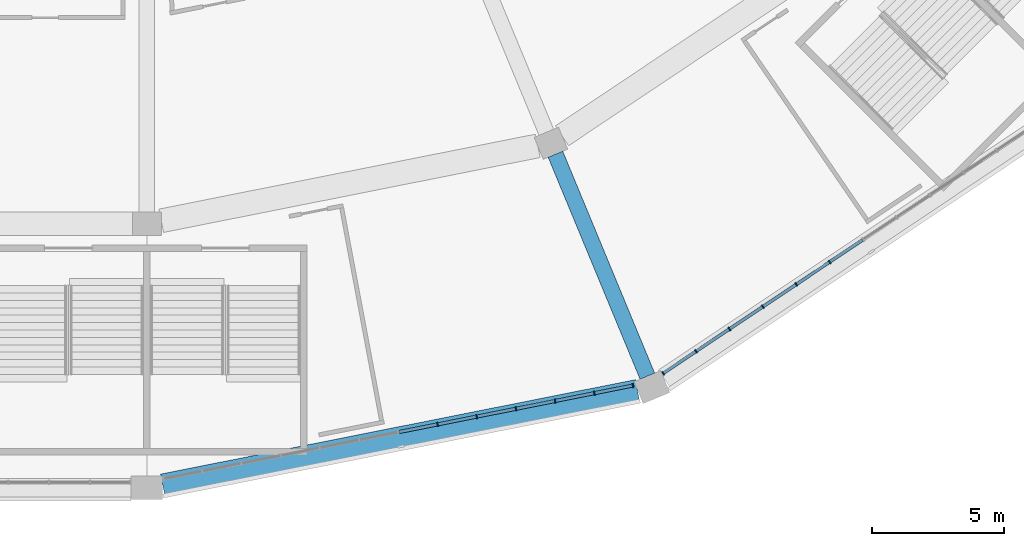
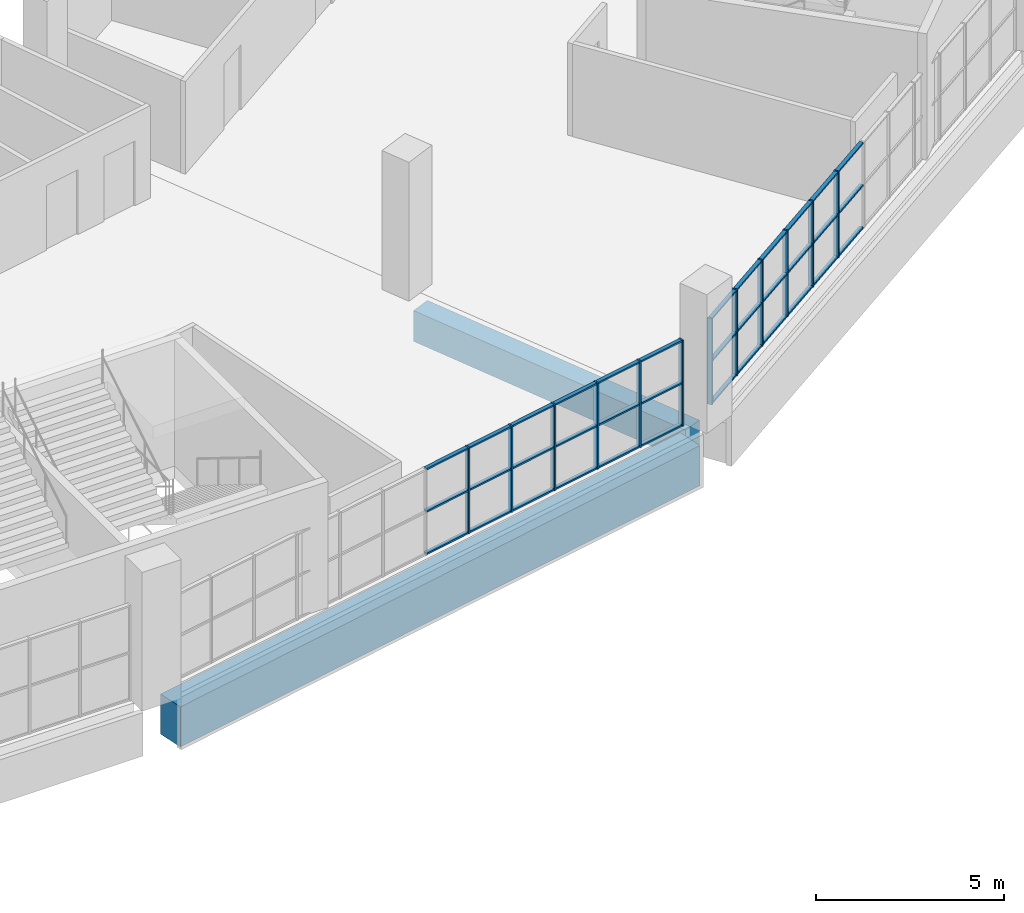
# One storey, part 21 of 199: 48 members, 2 beams, 2 elements without a shape of their own.
"""IFC4 building model written with IfcOpenShell, lengths in metres."""

from ifc_helpers import new_model, si_unit, direction, frame, origin, origin_2d, place, context, subcontext, project, spatial, rectangle, extrude, material, material_profile, profile_set, type_object, element, aggregate, save


model = new_model("IFC4")

# Units and contexts
model_context = context("Model", 3, precision=1e-05, world=origin(), true_north=direction((0.0, 1.0)))
body_context = subcontext(model_context, "Body", "Model", "MODEL_VIEW")
ifc_project = project(units=[si_unit("LENGTHUNIT", "METRE"), si_unit("AREAUNIT", "SQUARE_METRE"), si_unit("VOLUMEUNIT", "CUBIC_METRE"), si_unit("PLANEANGLEUNIT", "RADIAN"), si_unit("MASSUNIT", "GRAM", prefix="KILO")], contexts=[model_context])

# Site, building, storey
site_placement = place(None, origin())
site = spatial("IfcSite", under=ifc_project, at=site_placement, CompositionType="ELEMENT")
building_placement = place(site_placement, origin())
building = spatial("IfcBuilding", under=site, at=building_placement, Name="Ogive Plaza Stadium", CompositionType="ELEMENT")
storey_placement = place(building_placement, frame((0.0, 0.0, 4.5)))
storey = spatial("IfcBuildingStorey", under=building, at=storey_placement, Name="L01", CompositionType="ELEMENT", Elevation=4.5)

# Curtain wall, members
ifc_material_1 = material(Name="Bronze-anodised aluminium with laminated glass", Category="aluminium")
curtain_wall_type = type_object("IfcCurtainWallType", Name="Lancet curtain wall", PredefinedType="NOTDEFINED", material=ifc_material_1)
curtain_wall_1_placement = place(storey_placement, origin())
curtain_wall_1 = element("IfcCurtainWall", 1, at=curtain_wall_1_placement, inside=storey, type_object=curtain_wall_type, Name="CURTAIN WALL B10 L01", PredefinedType="NOTDEFINED")
ifc_material_2 = material(Name="Bronze-anodised aluminium", Category="aluminium")
ifc_material_profile_1 = material_profile(ifc_material_2, rectangle(XDim=0.14990234375, YDim=0.050048828125, at=origin_2d()), Name="AL 150x50")
ifc_profile_set_1 = profile_set([ifc_material_profile_1], Name="Bronze-anodised aluminium")
member_type_1 = type_object("IfcMemberType", Name="Curtain wall mullion 50x150", PredefinedType="MULLION", material=ifc_profile_set_1)
member_1_placement = place(storey_placement, frame((59.867919921875, -93.9541015625, 0.0), z_axis=(0.0, 0.0, 1.0), x_axis=(0.55557023302, -0.831469612303, 0.0)))
member_1 = element("IfcMember", 2, at=member_1_placement, type_object=member_type_1, Name="CW-B10-L01 mullion 8", PredefinedType="MULLION", context=body_context, shape_type="SweptSolid", body=[
    extrude(rectangle(XDim=0.14990234375, YDim=0.050048828125, at=origin_2d()), origin(), (0.0, 0.0, 1.0), 2.7900390625),
])
member_2_placement = place(storey_placement, frame((58.60205078125, -94.7998046875, 0.0), z_axis=(0.0, 0.0, 1.0), x_axis=(0.55557023302, -0.831469612303, 0.0)))
member_2 = element("IfcMember", 3, at=member_2_placement, type_object=member_type_1, Name="CW-B10-L01 mullion 9", PredefinedType="MULLION", context=body_context, shape_type="SweptSolid", body=[
    extrude(rectangle(XDim=0.14990234375, YDim=0.050048828125, at=origin_2d()), origin(), (0.0, 0.0, 1.0), 2.7900390625),
])
member_3_placement = place(storey_placement, frame((57.336181640625, -95.645751953125, 0.0), z_axis=(0.0, 0.0, 1.0), x_axis=(0.55557023302, -0.831469612303, 0.0)))
member_3 = element("IfcMember", 4, at=member_3_placement, type_object=member_type_1, Name="CW-B10-L01 mullion 10", PredefinedType="MULLION", context=body_context, shape_type="SweptSolid", body=[
    extrude(rectangle(XDim=0.14990234375, YDim=0.050048828125, at=origin_2d()), origin(), (0.0, 0.0, 1.0), 2.7900390625),
])
member_4_placement = place(storey_placement, frame((56.070556640625, -96.491455078125, 0.0), z_axis=(0.0, 0.0, 1.0), x_axis=(0.55557023302, -0.831469612303, 0.0)))
member_4 = element("IfcMember", 5, at=member_4_placement, type_object=member_type_1, Name="CW-B10-L01 mullion 11", PredefinedType="MULLION", context=body_context, shape_type="SweptSolid", body=[
    extrude(rectangle(XDim=0.14990234375, YDim=0.050048828125, at=origin_2d()), origin(), (0.0, 0.0, 1.0), 2.7900390625),
])
member_5_placement = place(storey_placement, frame((54.8046875, -97.337158203125, 0.0), z_axis=(0.0, 0.0, 1.0), x_axis=(0.55557023302, -0.831469612303, 0.0)))
member_5 = element("IfcMember", 6, at=member_5_placement, type_object=member_type_1, Name="CW-B10-L01 mullion 12", PredefinedType="MULLION", context=body_context, shape_type="SweptSolid", body=[
    extrude(rectangle(XDim=0.14990234375, YDim=0.050048828125, at=origin_2d()), origin(), (0.0, 0.0, 1.0), 2.7900390625),
])
member_6_placement = place(storey_placement, frame((53.559814453125, -98.169189453125, 0.0), z_axis=(0.0, 0.0, 1.0), x_axis=(0.55557023302, -0.831469612303, 0.0)))
member_6 = element("IfcMember", 7, at=member_6_placement, type_object=member_type_1, Name="CW-B10-L01 mullion 13", PredefinedType="MULLION", context=body_context, shape_type="SweptSolid", body=[
    extrude(rectangle(XDim=0.14990234375, YDim=0.050048828125, at=origin_2d()), origin(), (0.0, 0.0, 1.0), 2.7900390625),
])

curtain_wall_2_placement = place(storey_placement, origin())
curtain_wall_2 = element("IfcCurtainWall", 8, at=curtain_wall_2_placement, inside=storey, type_object=curtain_wall_type, Name="CURTAIN WALL B11 L01", PredefinedType="NOTDEFINED")
member_7_placement = place(storey_placement, frame((52.412109375, -98.6337890625, 0.0), z_axis=(0.0, 0.0, 1.0), x_axis=(0.195090322016, -0.980785280403, 0.0)))
member_7 = element("IfcMember", 9, at=member_7_placement, type_object=member_type_1, Name="CW-B11-L01 mullion 1", PredefinedType="MULLION", context=body_context, shape_type="SweptSolid", body=[
    extrude(rectangle(XDim=0.14990234375, YDim=0.050048828125, at=origin_2d()), origin(), (0.0, 0.0, 1.0), 2.7900390625),
])
member_8_placement = place(storey_placement, frame((50.951904296875, -98.924072265625, 0.0), z_axis=(0.0, 0.0, 1.0), x_axis=(0.195090322016, -0.980785280403, 0.0)))
member_8 = element("IfcMember", 10, at=member_8_placement, type_object=member_type_1, Name="CW-B11-L01 mullion 2", PredefinedType="MULLION", context=body_context, shape_type="SweptSolid", body=[
    extrude(rectangle(XDim=0.14990234375, YDim=0.050048828125, at=origin_2d()), origin(), (0.0, 0.0, 1.0), 2.7900390625),
])
member_9_placement = place(storey_placement, frame((49.467041015625, -99.219482421875, 0.0), z_axis=(0.0, 0.0, 1.0), x_axis=(0.195090322016, -0.980785280403, 0.0)))
member_9 = element("IfcMember", 11, at=member_9_placement, type_object=member_type_1, Name="CW-B11-L01 mullion 3", PredefinedType="MULLION", context=body_context, shape_type="SweptSolid", body=[
    extrude(rectangle(XDim=0.14990234375, YDim=0.050048828125, at=origin_2d()), origin(), (0.0, 0.0, 1.0), 2.7900390625),
])
member_10_placement = place(storey_placement, frame((47.982421875, -99.514892578125, 0.0), z_axis=(0.0, 0.0, 1.0), x_axis=(0.195090322016, -0.980785280403, 0.0)))
member_10 = element("IfcMember", 12, at=member_10_placement, type_object=member_type_1, Name="CW-B11-L01 mullion 4", PredefinedType="MULLION", context=body_context, shape_type="SweptSolid", body=[
    extrude(rectangle(XDim=0.14990234375, YDim=0.050048828125, at=origin_2d()), origin(), (0.0, 0.0, 1.0), 2.7900390625),
])
member_11_placement = place(storey_placement, frame((46.49755859375, -99.81005859375, 0.0), z_axis=(0.0, 0.0, 1.0), x_axis=(0.195090322016, -0.980785280403, 0.0)))
member_11 = element("IfcMember", 13, at=member_11_placement, type_object=member_type_1, Name="CW-B11-L01 mullion 5", PredefinedType="MULLION", context=body_context, shape_type="SweptSolid", body=[
    extrude(rectangle(XDim=0.14990234375, YDim=0.050048828125, at=origin_2d()), origin(), (0.0, 0.0, 1.0), 2.7900390625),
])
member_12_placement = place(storey_placement, frame((45.012939453125, -100.10546875, 0.0), z_axis=(0.0, 0.0, 1.0), x_axis=(0.195090322016, -0.980785280403, 0.0)))
member_12 = element("IfcMember", 14, at=member_12_placement, type_object=member_type_1, Name="CW-B11-L01 mullion 6", PredefinedType="MULLION", context=body_context, shape_type="SweptSolid", body=[
    extrude(rectangle(XDim=0.14990234375, YDim=0.050048828125, at=origin_2d()), origin(), (0.0, 0.0, 1.0), 2.7900390625),
])

# Member
ifc_material_3 = material(Name="Bronze-anodised aluminium", Category="aluminium")
ifc_material_profile_2 = material_profile(ifc_material_3, rectangle(XDim=0.1201171875, YDim=0.050048828125, at=origin_2d()), Name="AL 120x50")
ifc_profile_set_2 = profile_set([ifc_material_profile_2], Name="Bronze-anodised aluminium")
member_type_2 = type_object("IfcMemberType", Name="Curtain wall transom 50x120", PredefinedType="USERDEFINED", material=ifc_profile_set_2)
member_13_placement = place(storey_placement, frame((61.11279296875, -93.122314453125, 0.02490234375), z_axis=(-0.831488586159, -0.555541835587, 0.0), x_axis=(0.555541835587, -0.831488586159, 0.0)))
member_13 = element("IfcMember", 15, at=member_13_placement, type_object=member_type_2, Name="CW-B10-L01 transom 7.1", ObjectType="TRANSOM", PredefinedType="USERDEFINED", context=body_context, shape_type="SweptSolid", body=[
    extrude(rectangle(XDim=0.1201171875, YDim=0.050048828125, at=origin_2d()), origin(), (0.0, 0.0, 1.0), 1.47216796875),
])

member_14_placement = place(storey_placement, frame((61.11279296875, -93.122314453125, 1.39501953125), z_axis=(-0.831488586159, -0.555541835587, 0.0), x_axis=(0.555541835587, -0.831488586159, 0.0)))
member_14 = element("IfcMember", 16, at=member_14_placement, type_object=member_type_2, Name="CW-B10-L01 transom 7.2", ObjectType="TRANSOM", PredefinedType="USERDEFINED", context=body_context, shape_type="SweptSolid", body=[
    extrude(rectangle(XDim=0.1201171875, YDim=0.050048828125, at=origin_2d()), origin(), (0.0, 0.0, 1.0), 1.47216796875),
])

member_15_placement = place(storey_placement, frame((61.11279296875, -93.122314453125, 2.764892578125), z_axis=(-0.831488586159, -0.555541835587, 0.0), x_axis=(0.555541835587, -0.831488586159, 0.0)))
member_15 = element("IfcMember", 17, at=member_15_placement, type_object=member_type_2, Name="CW-B10-L01 transom 7.3", ObjectType="TRANSOM", PredefinedType="USERDEFINED", context=body_context, shape_type="SweptSolid", body=[
    extrude(rectangle(XDim=0.1201171875, YDim=0.050048828125, at=origin_2d()), origin(), (0.0, 0.0, 1.0), 1.47216796875),
])

member_16_placement = place(storey_placement, frame((59.84716796875, -93.968017578125, 0.02490234375), z_axis=(-0.831463168883, -0.555579876157, 0.0), x_axis=(0.555579876157, -0.831463168883, 0.0)))
member_16 = element("IfcMember", 18, at=member_16_placement, type_object=member_type_2, Name="CW-B10-L01 transom 8.1", ObjectType="TRANSOM", PredefinedType="USERDEFINED", context=body_context, shape_type="SweptSolid", body=[
    extrude(rectangle(XDim=0.1201171875, YDim=0.050048828125, at=origin_2d()), origin(), (0.0, 0.0, 1.0), 1.47265625),
])

member_17_placement = place(storey_placement, frame((59.84716796875, -93.968017578125, 1.39501953125), z_axis=(-0.831463168883, -0.555579876157, 0.0), x_axis=(0.555579876157, -0.831463168883, 0.0)))
member_17 = element("IfcMember", 19, at=member_17_placement, type_object=member_type_2, Name="CW-B10-L01 transom 8.2", ObjectType="TRANSOM", PredefinedType="USERDEFINED", context=body_context, shape_type="SweptSolid", body=[
    extrude(rectangle(XDim=0.1201171875, YDim=0.050048828125, at=origin_2d()), origin(), (0.0, 0.0, 1.0), 1.47265625),
])

member_18_placement = place(storey_placement, frame((59.84716796875, -93.968017578125, 2.764892578125), z_axis=(-0.831463168883, -0.555579876157, 0.0), x_axis=(0.555579876157, -0.831463168883, 0.0)))
member_18 = element("IfcMember", 20, at=member_18_placement, type_object=member_type_2, Name="CW-B10-L01 transom 8.3", ObjectType="TRANSOM", PredefinedType="USERDEFINED", context=body_context, shape_type="SweptSolid", body=[
    extrude(rectangle(XDim=0.1201171875, YDim=0.050048828125, at=origin_2d()), origin(), (0.0, 0.0, 1.0), 1.47265625),
])

member_19_placement = place(storey_placement, frame((58.581298828125, -94.813720703125, 0.02490234375), z_axis=(-0.831411982446, -0.555656472512, 0.0), x_axis=(0.555656472512, -0.831411982446, 0.0)))
member_19 = element("IfcMember", 21, at=member_19_placement, type_object=member_type_2, Name="CW-B10-L01 transom 9.1", ObjectType="TRANSOM", PredefinedType="USERDEFINED", context=body_context, shape_type="SweptSolid", body=[
    extrude(rectangle(XDim=0.1201171875, YDim=0.050048828125, at=origin_2d()), origin(), (0.0, 0.0, 1.0), 1.472412109375),
])

member_20_placement = place(storey_placement, frame((58.581298828125, -94.813720703125, 1.39501953125), z_axis=(-0.831411982446, -0.555656472512, 0.0), x_axis=(0.555656472512, -0.831411982446, 0.0)))
member_20 = element("IfcMember", 22, at=member_20_placement, type_object=member_type_2, Name="CW-B10-L01 transom 9.2", ObjectType="TRANSOM", PredefinedType="USERDEFINED", context=body_context, shape_type="SweptSolid", body=[
    extrude(rectangle(XDim=0.1201171875, YDim=0.050048828125, at=origin_2d()), origin(), (0.0, 0.0, 1.0), 1.472412109375),
])

member_21_placement = place(storey_placement, frame((58.581298828125, -94.813720703125, 2.764892578125), z_axis=(-0.831411982446, -0.555656472512, 0.0), x_axis=(0.555656472512, -0.831411982446, 0.0)))
member_21 = element("IfcMember", 23, at=member_21_placement, type_object=member_type_2, Name="CW-B10-L01 transom 9.3", ObjectType="TRANSOM", PredefinedType="USERDEFINED", context=body_context, shape_type="SweptSolid", body=[
    extrude(rectangle(XDim=0.1201171875, YDim=0.050048828125, at=origin_2d()), origin(), (0.0, 0.0, 1.0), 1.472412109375),
])

member_22_placement = place(storey_placement, frame((57.3154296875, -95.65966796875, 0.02490234375), z_axis=(-0.831488586159, -0.555541835587, 0.0), x_axis=(0.555541835587, -0.831488586159, 0.0)))
member_22 = element("IfcMember", 24, at=member_22_placement, type_object=member_type_2, Name="CW-B10-L01 transom 10.1", ObjectType="TRANSOM", PredefinedType="USERDEFINED", context=body_context, shape_type="SweptSolid", body=[
    extrude(rectangle(XDim=0.1201171875, YDim=0.050048828125, at=origin_2d()), origin(), (0.0, 0.0, 1.0), 1.47216796875),
])

member_23_placement = place(storey_placement, frame((57.3154296875, -95.65966796875, 1.39501953125), z_axis=(-0.831488586159, -0.555541835587, 0.0), x_axis=(0.555541835587, -0.831488586159, 0.0)))
member_23 = element("IfcMember", 25, at=member_23_placement, type_object=member_type_2, Name="CW-B10-L01 transom 10.2", ObjectType="TRANSOM", PredefinedType="USERDEFINED", context=body_context, shape_type="SweptSolid", body=[
    extrude(rectangle(XDim=0.1201171875, YDim=0.050048828125, at=origin_2d()), origin(), (0.0, 0.0, 1.0), 1.47216796875),
])

member_24_placement = place(storey_placement, frame((57.3154296875, -95.65966796875, 2.764892578125), z_axis=(-0.831488586159, -0.555541835587, 0.0), x_axis=(0.555541835587, -0.831488586159, 0.0)))
member_24 = element("IfcMember", 26, at=member_24_placement, type_object=member_type_2, Name="CW-B10-L01 transom 10.3", ObjectType="TRANSOM", PredefinedType="USERDEFINED", context=body_context, shape_type="SweptSolid", body=[
    extrude(rectangle(XDim=0.1201171875, YDim=0.050048828125, at=origin_2d()), origin(), (0.0, 0.0, 1.0), 1.47216796875),
])

member_25_placement = place(storey_placement, frame((56.0498046875, -96.50537109375, 0.02490234375), z_axis=(-0.83153975619, -0.555465240925, 0.0), x_axis=(0.555465240925, -0.83153975619, 0.0)))
member_25 = element("IfcMember", 27, at=member_25_placement, type_object=member_type_2, Name="CW-B10-L01 transom 11.1", ObjectType="TRANSOM", PredefinedType="USERDEFINED", context=body_context, shape_type="SweptSolid", body=[
    extrude(rectangle(XDim=0.1201171875, YDim=0.050048828125, at=origin_2d()), origin(), (0.0, 0.0, 1.0), 1.472412109375),
])

member_26_placement = place(storey_placement, frame((56.0498046875, -96.50537109375, 1.39501953125), z_axis=(-0.83153975619, -0.555465240925, 0.0), x_axis=(0.555465240925, -0.83153975619, 0.0)))
member_26 = element("IfcMember", 28, at=member_26_placement, type_object=member_type_2, Name="CW-B10-L01 transom 11.2", ObjectType="TRANSOM", PredefinedType="USERDEFINED", context=body_context, shape_type="SweptSolid", body=[
    extrude(rectangle(XDim=0.1201171875, YDim=0.050048828125, at=origin_2d()), origin(), (0.0, 0.0, 1.0), 1.472412109375),
])

member_27_placement = place(storey_placement, frame((56.0498046875, -96.50537109375, 2.764892578125), z_axis=(-0.83153975619, -0.555465240925, 0.0), x_axis=(0.555465240925, -0.83153975619, 0.0)))
member_27 = element("IfcMember", 29, at=member_27_placement, type_object=member_type_2, Name="CW-B10-L01 transom 11.3", ObjectType="TRANSOM", PredefinedType="USERDEFINED", context=body_context, shape_type="SweptSolid", body=[
    extrude(rectangle(XDim=0.1201171875, YDim=0.050048828125, at=origin_2d()), origin(), (0.0, 0.0, 1.0), 1.472412109375),
])

member_28_placement = place(storey_placement, frame((54.783935546875, -97.35107421875, 0.02490234375), z_axis=(-0.831426948977, -0.555634077892, 0.0), x_axis=(0.555634077892, -0.831426948977, 0.0)))
member_28 = element("IfcMember", 30, at=member_28_placement, type_object=member_type_2, Name="CW-B10-L01 transom 12.1", ObjectType="TRANSOM", PredefinedType="USERDEFINED", context=body_context, shape_type="SweptSolid", body=[
    extrude(rectangle(XDim=0.1201171875, YDim=0.050048828125, at=origin_2d()), origin(), (0.0, 0.0, 1.0), 1.447265625),
])

member_29_placement = place(storey_placement, frame((54.783935546875, -97.35107421875, 1.39501953125), z_axis=(-0.831426948977, -0.555634077892, 0.0), x_axis=(0.555634077892, -0.831426948977, 0.0)))
member_29 = element("IfcMember", 31, at=member_29_placement, type_object=member_type_2, Name="CW-B10-L01 transom 12.2", ObjectType="TRANSOM", PredefinedType="USERDEFINED", context=body_context, shape_type="SweptSolid", body=[
    extrude(rectangle(XDim=0.1201171875, YDim=0.050048828125, at=origin_2d()), origin(), (0.0, 0.0, 1.0), 1.447265625),
])

member_30_placement = place(storey_placement, frame((54.783935546875, -97.35107421875, 2.764892578125), z_axis=(-0.831426948977, -0.555634077892, 0.0), x_axis=(0.555634077892, -0.831426948977, 0.0)))
member_30 = element("IfcMember", 32, at=member_30_placement, type_object=member_type_2, Name="CW-B10-L01 transom 12.3", ObjectType="TRANSOM", PredefinedType="USERDEFINED", context=body_context, shape_type="SweptSolid", body=[
    extrude(rectangle(XDim=0.1201171875, YDim=0.050048828125, at=origin_2d()), origin(), (0.0, 0.0, 1.0), 1.447265625),
])

aggregate(curtain_wall_1, [member_1, member_2, member_3, member_4, member_5, member_6, member_13, member_14, member_15, member_16, member_17, member_18, member_19, member_20, member_21, member_22, member_23, member_24, member_25, member_26, member_27, member_28, member_29, member_30])

member_31_placement = place(storey_placement, frame((52.3876953125, -98.638671875, 0.02490234375), z_axis=(-0.980814888552, -0.194941412722, 0.0), x_axis=(0.194941412722, -0.980814888552, 0.0)))
member_31 = element("IfcMember", 33, at=member_31_placement, type_object=member_type_2, Name="CW-B11-L01 transom 1.1", ObjectType="TRANSOM", PredefinedType="USERDEFINED", context=body_context, shape_type="SweptSolid", body=[
    extrude(rectangle(XDim=0.1201171875, YDim=0.050048828125, at=origin_2d()), origin(), (0.0, 0.0, 1.0), 1.43896484375),
])

member_32_placement = place(storey_placement, frame((52.3876953125, -98.638671875, 1.39501953125), z_axis=(-0.980814888552, -0.194941412722, 0.0), x_axis=(0.194941412722, -0.980814888552, 0.0)))
member_32 = element("IfcMember", 34, at=member_32_placement, type_object=member_type_2, Name="CW-B11-L01 transom 1.2", ObjectType="TRANSOM", PredefinedType="USERDEFINED", context=body_context, shape_type="SweptSolid", body=[
    extrude(rectangle(XDim=0.1201171875, YDim=0.050048828125, at=origin_2d()), origin(), (0.0, 0.0, 1.0), 1.43896484375),
])

member_33_placement = place(storey_placement, frame((52.3876953125, -98.638671875, 2.764892578125), z_axis=(-0.980814888552, -0.194941412722, 0.0), x_axis=(0.194941412722, -0.980814888552, 0.0)))
member_33 = element("IfcMember", 35, at=member_33_placement, type_object=member_type_2, Name="CW-B11-L01 transom 1.3", ObjectType="TRANSOM", PredefinedType="USERDEFINED", context=body_context, shape_type="SweptSolid", body=[
    extrude(rectangle(XDim=0.1201171875, YDim=0.050048828125, at=origin_2d()), origin(), (0.0, 0.0, 1.0), 1.43896484375),
])

member_34_placement = place(storey_placement, frame((50.92724609375, -98.928955078125, 0.02490234375), z_axis=(-0.980772662828, -0.195153744134, 0.0), x_axis=(0.195153744134, -0.980772662828, 0.0)))
member_34 = element("IfcMember", 36, at=member_34_placement, type_object=member_type_2, Name="CW-B11-L01 transom 2.1", ObjectType="TRANSOM", PredefinedType="USERDEFINED", context=body_context, shape_type="SweptSolid", body=[
    extrude(rectangle(XDim=0.1201171875, YDim=0.050048828125, at=origin_2d()), origin(), (0.0, 0.0, 1.0), 1.463623046875),
])

member_35_placement = place(storey_placement, frame((50.92724609375, -98.928955078125, 1.39501953125), z_axis=(-0.980772662828, -0.195153744134, 0.0), x_axis=(0.195153744134, -0.980772662828, 0.0)))
member_35 = element("IfcMember", 37, at=member_35_placement, type_object=member_type_2, Name="CW-B11-L01 transom 2.2", ObjectType="TRANSOM", PredefinedType="USERDEFINED", context=body_context, shape_type="SweptSolid", body=[
    extrude(rectangle(XDim=0.1201171875, YDim=0.050048828125, at=origin_2d()), origin(), (0.0, 0.0, 1.0), 1.463623046875),
])

member_36_placement = place(storey_placement, frame((50.92724609375, -98.928955078125, 2.764892578125), z_axis=(-0.980772662828, -0.195153744134, 0.0), x_axis=(0.195153744134, -0.980772662828, 0.0)))
member_36 = element("IfcMember", 38, at=member_36_placement, type_object=member_type_2, Name="CW-B11-L01 transom 2.3", ObjectType="TRANSOM", PredefinedType="USERDEFINED", context=body_context, shape_type="SweptSolid", body=[
    extrude(rectangle(XDim=0.1201171875, YDim=0.050048828125, at=origin_2d()), origin(), (0.0, 0.0, 1.0), 1.463623046875),
])

member_37_placement = place(storey_placement, frame((49.442626953125, -99.224365234375, 0.02490234375), z_axis=(-0.980779013771, -0.195121823859, 0.0), x_axis=(0.195121823859, -0.980779013771, 0.0)))
member_37 = element("IfcMember", 39, at=member_37_placement, type_object=member_type_2, Name="CW-B11-L01 transom 3.1", ObjectType="TRANSOM", PredefinedType="USERDEFINED", context=body_context, shape_type="SweptSolid", body=[
    extrude(rectangle(XDim=0.1201171875, YDim=0.050048828125, at=origin_2d()), origin(), (0.0, 0.0, 1.0), 1.4638671875),
])

member_38_placement = place(storey_placement, frame((49.442626953125, -99.224365234375, 1.39501953125), z_axis=(-0.980779013771, -0.195121823859, 0.0), x_axis=(0.195121823859, -0.980779013771, 0.0)))
member_38 = element("IfcMember", 40, at=member_38_placement, type_object=member_type_2, Name="CW-B11-L01 transom 3.2", ObjectType="TRANSOM", PredefinedType="USERDEFINED", context=body_context, shape_type="SweptSolid", body=[
    extrude(rectangle(XDim=0.1201171875, YDim=0.050048828125, at=origin_2d()), origin(), (0.0, 0.0, 1.0), 1.4638671875),
])

member_39_placement = place(storey_placement, frame((49.442626953125, -99.224365234375, 2.764892578125), z_axis=(-0.980779013771, -0.195121823859, 0.0), x_axis=(0.195121823859, -0.980779013771, 0.0)))
member_39 = element("IfcMember", 41, at=member_39_placement, type_object=member_type_2, Name="CW-B11-L01 transom 3.3", ObjectType="TRANSOM", PredefinedType="USERDEFINED", context=body_context, shape_type="SweptSolid", body=[
    extrude(rectangle(XDim=0.1201171875, YDim=0.050048828125, at=origin_2d()), origin(), (0.0, 0.0, 1.0), 1.4638671875),
])

member_40_placement = place(storey_placement, frame((47.957763671875, -99.519775390625, 0.02490234375), z_axis=(-0.980804576136, -0.194993290732, 0.0), x_axis=(0.194993290732, -0.980804576136, 0.0)))
member_40 = element("IfcMember", 42, at=member_40_placement, type_object=member_type_2, Name="CW-B11-L01 transom 4.1", ObjectType="TRANSOM", PredefinedType="USERDEFINED", context=body_context, shape_type="SweptSolid", body=[
    extrude(rectangle(XDim=0.1201171875, YDim=0.050048828125, at=origin_2d()), origin(), (0.0, 0.0, 1.0), 1.463623046875),
])

member_41_placement = place(storey_placement, frame((47.957763671875, -99.519775390625, 1.39501953125), z_axis=(-0.980804576136, -0.194993290732, 0.0), x_axis=(0.194993290732, -0.980804576136, 0.0)))
member_41 = element("IfcMember", 43, at=member_41_placement, type_object=member_type_2, Name="CW-B11-L01 transom 4.2", ObjectType="TRANSOM", PredefinedType="USERDEFINED", context=body_context, shape_type="SweptSolid", body=[
    extrude(rectangle(XDim=0.1201171875, YDim=0.050048828125, at=origin_2d()), origin(), (0.0, 0.0, 1.0), 1.463623046875),
])

member_42_placement = place(storey_placement, frame((47.957763671875, -99.519775390625, 2.764892578125), z_axis=(-0.980804576136, -0.194993290732, 0.0), x_axis=(0.194993290732, -0.980804576136, 0.0)))
member_42 = element("IfcMember", 44, at=member_42_placement, type_object=member_type_2, Name="CW-B11-L01 transom 4.3", ObjectType="TRANSOM", PredefinedType="USERDEFINED", context=body_context, shape_type="SweptSolid", body=[
    extrude(rectangle(XDim=0.1201171875, YDim=0.050048828125, at=origin_2d()), origin(), (0.0, 0.0, 1.0), 1.463623046875),
])

member_43_placement = place(storey_placement, frame((46.47314453125, -99.81494140625, 0.02490234375), z_axis=(-0.980779013771, -0.195121823859, 0.0), x_axis=(0.195121823859, -0.980779013771, 0.0)))
member_43 = element("IfcMember", 45, at=member_43_placement, type_object=member_type_2, Name="CW-B11-L01 transom 5.1", ObjectType="TRANSOM", PredefinedType="USERDEFINED", context=body_context, shape_type="SweptSolid", body=[
    extrude(rectangle(XDim=0.1201171875, YDim=0.050048828125, at=origin_2d()), origin(), (0.0, 0.0, 1.0), 1.4638671875),
])

member_44_placement = place(storey_placement, frame((46.47314453125, -99.81494140625, 1.39501953125), z_axis=(-0.980779013771, -0.195121823859, 0.0), x_axis=(0.195121823859, -0.980779013771, 0.0)))
member_44 = element("IfcMember", 46, at=member_44_placement, type_object=member_type_2, Name="CW-B11-L01 transom 5.2", ObjectType="TRANSOM", PredefinedType="USERDEFINED", context=body_context, shape_type="SweptSolid", body=[
    extrude(rectangle(XDim=0.1201171875, YDim=0.050048828125, at=origin_2d()), origin(), (0.0, 0.0, 1.0), 1.4638671875),
])

member_45_placement = place(storey_placement, frame((46.47314453125, -99.81494140625, 2.764892578125), z_axis=(-0.980779013771, -0.195121823859, 0.0), x_axis=(0.195121823859, -0.980779013771, 0.0)))
member_45 = element("IfcMember", 47, at=member_45_placement, type_object=member_type_2, Name="CW-B11-L01 transom 5.3", ObjectType="TRANSOM", PredefinedType="USERDEFINED", context=body_context, shape_type="SweptSolid", body=[
    extrude(rectangle(XDim=0.1201171875, YDim=0.050048828125, at=origin_2d()), origin(), (0.0, 0.0, 1.0), 1.4638671875),
])

member_46_placement = place(storey_placement, frame((44.98828125, -100.1103515625, 0.02490234375), z_axis=(-0.980779013771, -0.195121823859, 0.0), x_axis=(0.195121823859, -0.980779013771, 0.0)))
member_46 = element("IfcMember", 48, at=member_46_placement, type_object=member_type_2, Name="CW-B11-L01 transom 6.1", ObjectType="TRANSOM", PredefinedType="USERDEFINED", context=body_context, shape_type="SweptSolid", body=[
    extrude(rectangle(XDim=0.1201171875, YDim=0.050048828125, at=origin_2d()), origin(), (0.0, 0.0, 1.0), 1.4638671875),
])

member_47_placement = place(storey_placement, frame((44.98828125, -100.1103515625, 1.39501953125), z_axis=(-0.980779013771, -0.195121823859, 0.0), x_axis=(0.195121823859, -0.980779013771, 0.0)))
member_47 = element("IfcMember", 49, at=member_47_placement, type_object=member_type_2, Name="CW-B11-L01 transom 6.2", ObjectType="TRANSOM", PredefinedType="USERDEFINED", context=body_context, shape_type="SweptSolid", body=[
    extrude(rectangle(XDim=0.1201171875, YDim=0.050048828125, at=origin_2d()), origin(), (0.0, 0.0, 1.0), 1.4638671875),
])

member_48_placement = place(storey_placement, frame((44.98828125, -100.1103515625, 2.764892578125), z_axis=(-0.980779013771, -0.195121823859, 0.0), x_axis=(0.195121823859, -0.980779013771, 0.0)))
member_48 = element("IfcMember", 50, at=member_48_placement, type_object=member_type_2, Name="CW-B11-L01 transom 6.3", ObjectType="TRANSOM", PredefinedType="USERDEFINED", context=body_context, shape_type="SweptSolid", body=[
    extrude(rectangle(XDim=0.1201171875, YDim=0.050048828125, at=origin_2d()), origin(), (0.0, 0.0, 1.0), 1.4638671875),
])

aggregate(curtain_wall_2, [member_7, member_8, member_9, member_10, member_11, member_12, member_31, member_32, member_33, member_34, member_35, member_36, member_37, member_38, member_39, member_40, member_41, member_42, member_43, member_44, member_45, member_46, member_47, member_48])

# Beams
ifc_material_4 = material(Name="Concrete C40/50", Category="concrete")
ifc_material_profile_3 = material_profile(ifc_material_4, rectangle(XDim=0.60009765625, YDim=1.0, at=origin_2d()), Name="RC 600x1000")
ifc_profile_set_3 = profile_set([ifc_material_profile_3], Name="Concrete C40/50")
beam_type_1 = type_object("IfcBeamType", Name="RC radial beam 600x1000", PredefinedType="BEAM", material=ifc_profile_set_3)
beam_1_placement = place(storey_placement, frame((49.4794921875, -89.870849609375, -0.909912109375), z_axis=(0.382677193504, -0.923882116707, 0.0), x_axis=(0.923882116707, 0.382677193504, 0.0)))
element("IfcBeam", 51, at=beam_1_placement, inside=storey, type_object=beam_type_1, Name="Radial beam L01 R11 F4F5", PredefinedType="BEAM", context=body_context, shape_type="SweptSolid", body=[
    extrude(rectangle(XDim=0.60009765625, YDim=1.0, at=origin_2d()), origin(), (0.0, 0.0, 1.0), 9.10009765625),
])
ifc_material_5 = material(Name="Concrete C40/50", Category="concrete")
ifc_material_profile_4 = material_profile(ifc_material_5, rectangle(XDim=0.800048828125, YDim=1.300048828125, at=origin_2d()), Name="RC 800x1300")
ifc_profile_set_4 = profile_set([ifc_material_profile_4], Name="Concrete C40/50")
beam_type_2 = type_object("IfcBeamType", Name="RC spandrel beam 800x1300", PredefinedType="SPANDREL", material=ifc_profile_set_4)
beam_2_placement = place(storey_placement, frame((52.584228515625, -98.803466796875, -1.06005859375), z_axis=(-0.980786507619, -0.195084152283, 0.0), x_axis=(0.195084152283, -0.980786507619, 0.0)))
element("IfcBeam", 52, at=beam_2_placement, inside=storey, type_object=beam_type_2, Name="Ring beam F5 L01 B11", PredefinedType="SPANDREL", context=body_context, shape_type="SweptSolid", body=[
    extrude(rectangle(XDim=0.800048828125, YDim=1.300048828125, at=origin_2d()), origin(), (0.0, 0.0, 1.0), 18.33642578125),
])

save(model, "model.ifc")
